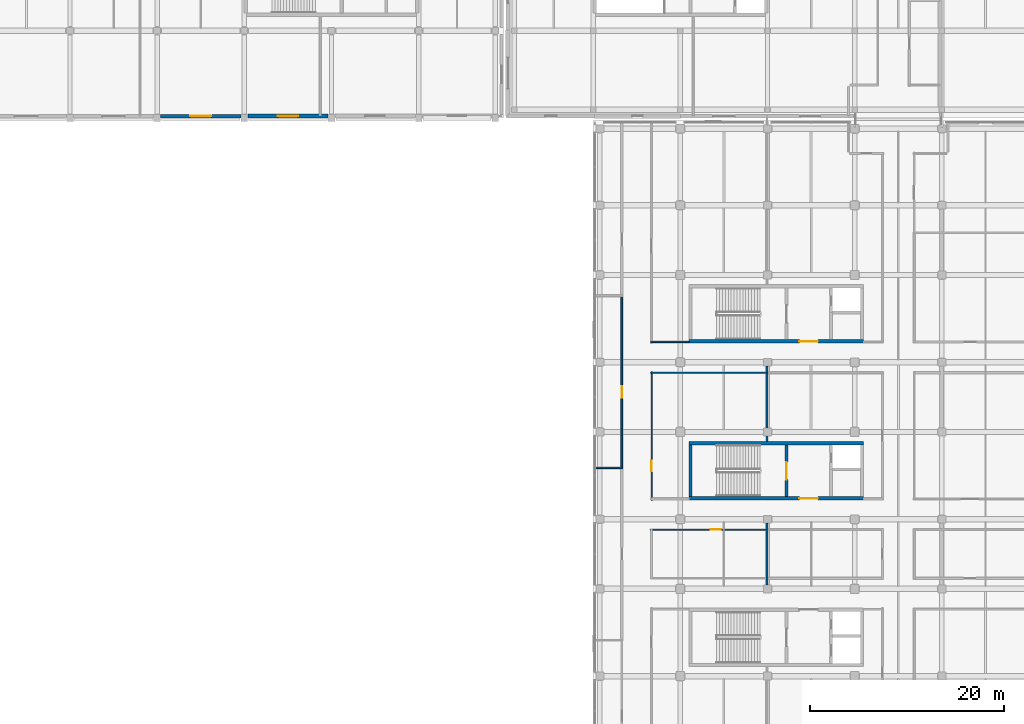
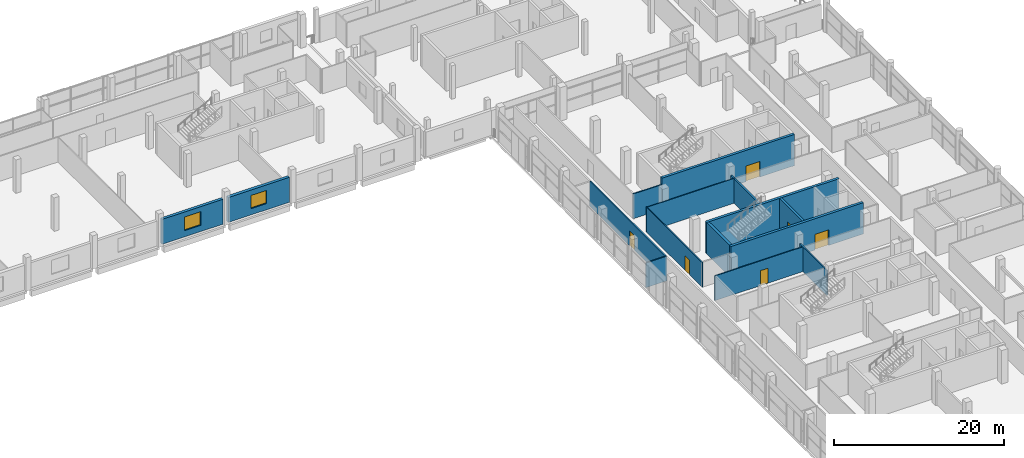
# One storey, part 78 of 111: 15 walls, 6 doors, 2 windows, 8 openings.
"""IFC4 building model written with IfcOpenShell, lengths in metres."""

from ifc_helpers import new_model, si_unit, direction, frame, frame_2d, origin, place, context, subcontext, project, spatial, rectangle, extrude, material, layer, layer_set, type_object, element, fill, save


model = new_model("IFC4")

# Units and contexts
model_context = context("Model", 3, precision=1e-05, world=origin(), true_north=direction((0.0, 1.0)))
body_context = subcontext(model_context, "Body", "Model", "MODEL_VIEW")
ifc_project = project(units=[si_unit("LENGTHUNIT", "METRE"), si_unit("AREAUNIT", "SQUARE_METRE"), si_unit("VOLUMEUNIT", "CUBIC_METRE"), si_unit("PLANEANGLEUNIT", "RADIAN"), si_unit("MASSUNIT", "GRAM", prefix="KILO"), si_unit("THERMODYNAMICTEMPERATUREUNIT", "KELVIN"), si_unit("POWERUNIT", "WATT")], contexts=[model_context])

# Site, building, storey
site_placement = place(None, origin())
site = spatial("IfcSite", under=ifc_project, at=site_placement, CompositionType="ELEMENT")
building_placement = place(site_placement, origin())
building = spatial("IfcBuilding", under=site, at=building_placement, Name="Sindhuravela Promenade Stadium", CompositionType="ELEMENT")
storey_placement = place(building_placement, frame((0.0, 0.0, 9.60009765625)))
storey = spatial("IfcBuildingStorey", under=building, at=storey_placement, Name="L02", CompositionType="ELEMENT", Elevation=9.60009765625)

# Wall, opening, window
ifc_material_1 = material(Name="Terracotta clay brick masonry (15 MPa)", Category="masonry")
ifc_layer_1 = layer(ifc_material_1, 0.3798828125)
ifc_layer_set_1 = layer_set([ifc_layer_1], Name="Terracotta clay brick masonry (15 MPa)")
wall_type_1 = type_object("IfcWallType", Name="EX-WL-BRK380", PredefinedType="SOLIDWALL", material=ifc_layer_set_1)
wall_1_placement = place(storey_placement, frame((134.64501953125, 126.199951171875, 0.0), z_axis=(0.0, 0.0, 1.0), x_axis=(-1.0, 0.0, 0.0)))
wall_1 = element("IfcWall", 1, at=wall_1_placement, inside=storey, type_object=wall_type_1, Name="Exterior masonry wall EW04 NORTH L02", PredefinedType="SOLIDWALL", context=body_context, shape_type="SweptSolid", body=[
    extrude(rectangle(XDim=8.2900390625, YDim=0.3798828125, at=frame_2d((4.14501953125, 0.0))), origin(), (0.0, 0.0, 1.0), 3.579833984375),
])
opening_1_placement = place(wall_1_placement, frame((3.044921875, 0.0, 0.89990234375)))
opening_1 = element("IfcOpeningElement", 2, at=opening_1_placement, cuts=wall_1, Name="Opening W12", PredefinedType="OPENING", context=body_context, shape_type="SweptSolid", body=[
    extrude(rectangle(XDim=2.199951171875, YDim=1.949951171875, at=frame_2d((1.10009765625, 0.97509765625))), frame((0.0, 0.199951171875, 0.0), z_axis=(0.0, -1.0, 0.0), x_axis=(1.0, 0.0, 0.0)), (0.0, 0.0, 1.0), 0.39990234375),
])
ifc_material_2 = material(Name="Tempered laminated low-E glass", Category="glass")
window_type_1 = type_object("IfcWindowType", Name="WN-FAC-2200x1950", PartitioningType="DOUBLE_PANEL_VERTICAL", PredefinedType="WINDOW", material=ifc_material_2)
window_1_placement = place(opening_1_placement, origin())
window_1 = element("IfcWindow", 3, at=window_1_placement, inside=storey, type_object=window_type_1, Name="Window W12 NORTH L02", OverallHeight=1.949951171875, OverallWidth=2.199951171875, PartitioningType="DOUBLE_PANEL_VERTICAL", PredefinedType="WINDOW", context=body_context, shape_type="SweptSolid", body=[
    extrude(rectangle(XDim=2.199951171875, YDim=1.949951171875, at=frame_2d((1.10009765625, 0.97509765625))), frame((0.0, 0.030029296875, 0.0), z_axis=(0.0, -1.0, 0.0), x_axis=(1.0, 0.0, 0.0)), (0.0, 0.0, 1.0), 0.06005859375),
])
fill(opening_1, window_1)

ifc_layer_2 = layer(ifc_material_1, 0.39990234375)
ifc_layer_set_2 = layer_set([ifc_layer_2], Name="Terracotta clay brick masonry (15 MPa)")
wall_type_2 = type_object("IfcWallType", Name="EX-WL-BRK400", PredefinedType="SOLIDWALL", material=ifc_layer_set_2)
wall_2_placement = place(storey_placement, frame((143.64501953125, 126.199951171875, 0.0), z_axis=(0.0, 0.0, 1.0), x_axis=(-1.0, 0.0, 0.0)))
wall_2 = element("IfcWall", 4, at=wall_2_placement, inside=storey, type_object=wall_type_2, Name="Exterior masonry wall EW03 NORTH L02", PredefinedType="SOLIDWALL", context=body_context, shape_type="SweptSolid", body=[
    extrude(rectangle(XDim=8.2900390625, YDim=0.39990234375, at=frame_2d((4.14501953125, 0.0))), origin(), (0.0, 0.0, 1.0), 3.579833984375),
])
opening_2_placement = place(wall_2_placement, frame((3.094970703125, 0.0, 0.89990234375)))
opening_2 = element("IfcOpeningElement", 5, at=opening_2_placement, cuts=wall_2, Name="Opening W11", PredefinedType="OPENING", context=body_context, shape_type="SweptSolid", body=[
    extrude(rectangle(XDim=2.10009765625, YDim=1.89990234375, at=frame_2d((1.050048828125, 0.949951171875))), frame((0.0, 0.2099609375, 0.0), z_axis=(0.0, -1.0, 0.0), x_axis=(1.0, 0.0, 0.0)), (0.0, 0.0, 1.0), 0.419921875),
])
window_type_2 = type_object("IfcWindowType", Name="WN-FAC-2100x1900", PartitioningType="DOUBLE_PANEL_VERTICAL", PredefinedType="WINDOW", material=ifc_material_2)
window_2_placement = place(opening_2_placement, origin())
window_2 = element("IfcWindow", 6, at=window_2_placement, inside=storey, type_object=window_type_2, Name="Window W11 NORTH L02", OverallHeight=1.89990234375, OverallWidth=2.10009765625, PartitioningType="DOUBLE_PANEL_VERTICAL", PredefinedType="WINDOW", context=body_context, shape_type="SweptSolid", body=[
    extrude(rectangle(XDim=2.10009765625, YDim=1.89990234375, at=frame_2d((1.050048828125, 0.949951171875))), frame((0.0, 0.030029296875, 0.0), z_axis=(0.0, -1.0, 0.0), x_axis=(1.0, 0.0, 0.0)), (0.0, 0.0, 1.0), 0.06005859375),
])
fill(opening_2, window_2)

# Wall
ifc_material_3 = material(Name="Fire-rated gypsum partition board", Category="gypsum")
ifc_layer_3 = layer(ifc_material_3, 0.110107421875)
ifc_layer_set_3 = layer_set([ifc_layer_3], Name="Fire-rated gypsum partition board")
wall_type_3 = type_object("IfcWallType", Name="IN-WL-PAR110", PredefinedType="PARTITIONING", material=ifc_layer_set_3)
wall_3_placement = place(storey_placement, frame((176.9599609375, 99.7099609375, 0.0), z_axis=(0.0, 0.0, 1.0), x_axis=(1.0, 0.0, 0.0)))
element("IfcWall", 7, at=wall_3_placement, inside=storey, type_object=wall_type_3, Name="Interior partition IW06 EAST L02", PredefinedType="PARTITIONING", context=body_context, shape_type="SweptSolid", body=[
    extrude(rectangle(XDim=11.949951171875, YDim=0.110107421875, at=frame_2d((5.97509765625, 0.0))), origin(), (0.0, 0.0, 1.0), 3.559814453125),
])

# Wall, opening, door
ifc_layer_4 = layer(ifc_material_3, 0.1298828125)
ifc_layer_set_4 = layer_set([ifc_layer_4], Name="Fire-rated gypsum partition board")
wall_type_4 = type_object("IfcWallType", Name="IN-WL-PAR130", PredefinedType="PARTITIONING", material=ifc_layer_set_4)
wall_4_placement = place(storey_placement, frame((177.0400390625, 99.830078125, 0.0), z_axis=(0.0, 0.0, 1.0), x_axis=(0.0, -1.0, 0.0)))
wall_4 = element("IfcWall", 8, at=wall_4_placement, inside=storey, type_object=wall_type_4, Name="Corridor partition IW05 Museum Archive Reading Room 5", PredefinedType="PARTITIONING", context=body_context, shape_type="SweptSolid", body=[
    extrude(rectangle(XDim=13.260009765625, YDim=0.1298828125, at=frame_2d((6.6298828125, 0.0))), origin(), (0.0, 0.0, 1.0), 3.559814453125),
])
opening_3_placement = place(wall_4_placement, frame((9.204833984375, 0.0, 0.0)))
opening_3 = element("IfcOpeningElement", 9, at=opening_3_placement, cuts=wall_4, Name="Opening ID06", PredefinedType="OPENING", context=body_context, shape_type="SweptSolid", body=[
    extrude(rectangle(XDim=1.10009765625, YDim=2.10009765625, at=frame_2d((0.550048828125, 1.050048828125))), frame((0.0, 0.074951171875, 0.0), z_axis=(0.0, -1.0, 0.0), x_axis=(1.0, 0.0, 0.0)), (0.0, 0.0, 1.0), 0.14990234375),
])
ifc_material_4 = material(Name="Architectural teak timber leaf", Category="wood")
door_type_1 = type_object("IfcDoorType", Name="DR-INT-1100x2100", OperationType="NOTDEFINED", PredefinedType="DOOR", material=ifc_material_4)
door_1_placement = place(opening_3_placement, origin())
door_1 = element("IfcDoor", 10, at=door_1_placement, inside=storey, type_object=door_type_1, Name="Museum Archive Reading Room 5 door", OperationType="SINGLE_SWING_RIGHT", OverallHeight=2.10009765625, OverallWidth=1.10009765625, PredefinedType="DOOR", context=body_context, shape_type="SweptSolid", body=[
    extrude(rectangle(XDim=1.10009765625, YDim=2.10009765625, at=frame_2d((0.550048828125, 1.050048828125))), frame((0.0, 0.02490234375, 0.0), z_axis=(0.0, -1.0, 0.0), x_axis=(1.0, 0.0, 0.0)), (0.0, 0.0, 1.0), 0.050048828125),
])
fill(opening_3, door_1)

wall_5_placement = place(storey_placement, frame((188.949951171875, 83.510009765625, 0.0), z_axis=(0.0, 0.0, 1.0), x_axis=(-1.0, 0.0, 0.0)))
wall_5 = element("IfcWall", 11, at=wall_5_placement, inside=storey, type_object=wall_type_4, Name="Corridor partition IW05 East Promenade Club Lounge 10", PredefinedType="PARTITIONING", context=body_context, shape_type="SweptSolid", body=[
    extrude(rectangle(XDim=12.030029296875, YDim=0.1298828125, at=frame_2d((6.01513671875, 0.0))), origin(), (0.0, 0.0, 1.0), 3.559814453125),
])
opening_4_placement = place(wall_5_placement, frame((4.797607421875, 0.0, 0.0)))
opening_4 = element("IfcOpeningElement", 12, at=opening_4_placement, cuts=wall_5, Name="Opening ID11", PredefinedType="OPENING", context=body_context, shape_type="SweptSolid", body=[
    extrude(rectangle(XDim=1.02001953125, YDim=2.159912109375, at=frame_2d((0.510009765625, 1.080078125))), frame((0.0, 0.074951171875, 0.0), z_axis=(0.0, -1.0, 0.0), x_axis=(1.0, 0.0, 0.0)), (0.0, 0.0, 1.0), 0.14990234375),
])
door_type_2 = type_object("IfcDoorType", Name="DR-INT-1020x2160", OperationType="NOTDEFINED", PredefinedType="DOOR", material=ifc_material_4)
door_2_placement = place(opening_4_placement, origin())
door_2 = element("IfcDoor", 13, at=door_2_placement, inside=storey, type_object=door_type_2, Name="East Promenade Club Lounge 10 door", OperationType="SINGLE_SWING_LEFT", OverallHeight=2.159912109375, OverallWidth=1.02001953125, PredefinedType="DOOR", context=body_context, shape_type="SweptSolid", body=[
    extrude(rectangle(XDim=1.02001953125, YDim=2.159912109375, at=frame_2d((0.510009765625, 1.080078125))), frame((0.0, 0.02490234375, 0.0), z_axis=(0.0, -1.0, 0.0), x_axis=(1.0, 0.0, 0.0)), (0.0, 0.0, 1.0), 0.050048828125),
])
fill(opening_4, door_2)

# Walls
ifc_layer_5 = layer(ifc_material_3, 0.14990234375)
ifc_layer_set_5 = layer_set([ifc_layer_5], Name="Fire-rated gypsum partition board")
wall_type_5 = type_object("IfcWallType", Name="IN-WL-PAR150", PredefinedType="PARTITIONING", material=ifc_layer_set_5)
wall_6_placement = place(storey_placement, frame((180.89794921875, 102.889892578125, 0.0), z_axis=(0.0, 0.0, 1.0), x_axis=(-1.0, 0.0, 0.0)))
element("IfcWall", 14, at=wall_6_placement, inside=storey, type_object=wall_type_5, Name="Interior partition IW04 EAST L02", PredefinedType="PARTITIONING", context=body_context, shape_type="SweptSolid", body=[
    extrude(rectangle(XDim=3.93798828125, YDim=0.14990234375, at=frame_2d((1.968994140625, 0.0))), origin(), (0.0, 0.0, 1.0), 3.559814453125),
])
wall_7_placement = place(storey_placement, frame((174.0400390625, 89.885986328125, 0.0), z_axis=(0.0, 0.0, 1.0), x_axis=(-1.0, 0.0, 0.0)))
element("IfcWall", 15, at=wall_7_placement, inside=storey, type_object=wall_type_5, Name="Interior partition IW04 EAST L02", PredefinedType="PARTITIONING", context=body_context, shape_type="SweptSolid", body=[
    extrude(rectangle(XDim=2.80712890625, YDim=0.14990234375, at=frame_2d((1.403564453125, 0.0))), origin(), (0.0, 0.0, 1.0), 3.559814453125),
])
ifc_layer_6 = layer(ifc_material_3, 0.175048828125)
ifc_layer_set_6 = layer_set([ifc_layer_6], Name="Fire-rated gypsum partition board")
wall_type_6 = type_object("IfcWallType", Name="IN-WL-PAR175", PredefinedType="PARTITIONING", material=ifc_layer_set_6)
wall_8_placement = place(storey_placement, frame((188.949951171875, 77.802001953125, 0.0), z_axis=(0.0, 0.0, 1.0), x_axis=(0.0, 1.0, 0.0)))
element("IfcWall", 16, at=wall_8_placement, inside=storey, type_object=wall_type_6, Name="Interior partition IW03 EAST L02", PredefinedType="PARTITIONING", context=body_context, shape_type="SweptSolid", body=[
    extrude(rectangle(XDim=6.39599609375, YDim=0.175048828125, at=frame_2d((3.197998046875, 0.0))), origin(), (0.0, 0.0, 1.0), 3.559814453125),
])

# Wall, opening, door
wall_9_placement = place(storey_placement, frame((173.9599609375, 89.885986328125, 0.0), z_axis=(0.0, 0.0, 1.0), x_axis=(0.0, 1.0, 0.0)))
wall_9 = element("IfcWall", 17, at=wall_9_placement, inside=storey, type_object=wall_type_6, Name="Corridor partition IW03 Accessible WC East L02 14", PredefinedType="PARTITIONING", context=body_context, shape_type="SweptSolid", body=[
    extrude(rectangle(XDim=17.77197265625, YDim=0.175048828125, at=frame_2d((8.885986328125, 0.0))), origin(), (0.0, 0.0, 1.0), 3.559814453125),
])
opening_5_placement = place(wall_9_placement, frame((7.259033203125, 0.0, 0.0)))
opening_5 = element("IfcOpeningElement", 18, at=opening_5_placement, cuts=wall_9, Name="Opening ID05", PredefinedType="OPENING", context=body_context, shape_type="SweptSolid", body=[
    extrude(rectangle(XDim=1.14990234375, YDim=2.14990234375, at=frame_2d((0.574951171875, 1.074951171875))), frame((0.0, 0.097412109375, 0.0), z_axis=(0.0, -1.0, 0.0), x_axis=(1.0, 0.0, 0.0)), (0.0, 0.0, 1.0), 0.195068359375),
])
door_type_3 = type_object("IfcDoorType", Name="DR-INT-1150x2150", OperationType="NOTDEFINED", PredefinedType="DOOR", material=ifc_material_4)
door_3_placement = place(opening_5_placement, origin())
door_3 = element("IfcDoor", 19, at=door_3_placement, inside=storey, type_object=door_type_3, Name="Accessible WC East L02 14 door", OperationType="SINGLE_SWING_LEFT", OverallHeight=2.14990234375, OverallWidth=1.14990234375, PredefinedType="DOOR", context=body_context, shape_type="SweptSolid", body=[
    extrude(rectangle(XDim=1.14990234375, YDim=2.14990234375, at=frame_2d((0.574951171875, 1.074951171875))), frame((0.0, 0.02490234375, 0.0), z_axis=(0.0, -1.0, 0.0), x_axis=(1.0, 0.0, 0.0)), (0.0, 0.0, 1.0), 0.050048828125),
])
fill(opening_5, door_3)

# Wall
ifc_layer_7 = layer(ifc_material_3, 0.219970703125)
ifc_layer_set_7 = layer_set([ifc_layer_7], Name="Fire-rated gypsum partition board")
wall_type_7 = type_object("IfcWallType", Name="IN-WL-PAR220", PredefinedType="PARTITIONING", material=ifc_layer_set_7)
wall_10_placement = place(storey_placement, frame((188.949951171875, 100.39794921875, 0.0), z_axis=(0.0, 0.0, 1.0), x_axis=(0.0, -1.0, 0.0)))
element("IfcWall", 20, at=wall_10_placement, inside=storey, type_object=wall_type_7, Name="Interior partition IW01 EAST L02", PredefinedType="PARTITIONING", context=body_context, shape_type="SweptSolid", body=[
    extrude(rectangle(XDim=7.77099609375, YDim=0.219970703125, at=frame_2d((3.885498046875, 0.0))), origin(), (0.0, 0.0, 1.0), 3.559814453125),
])

# Wall, opening, door
ifc_material_5 = material(Name="Concrete M50", Category="concrete")
ifc_layer_8 = layer(ifc_material_5, 0.300048828125)
ifc_layer_set_8 = layer_set([ifc_layer_8], Name="Concrete M50")
wall_type_8 = type_object("IfcWallType", Name="RC-SW-300", PredefinedType="SHEAR", material=ifc_layer_set_8)
wall_11_placement = place(storey_placement, frame((190.949951171875, 86.925048828125, 0.0), z_axis=(0.0, 0.0, 1.0), x_axis=(0.0, 1.0, 0.0)))
wall_11 = element("IfcWall", 21, at=wall_11_placement, inside=storey, type_object=wall_type_8, Name="Core shear wall C07-ST (L02)", PredefinedType="SHEAR", context=body_context, shape_type="SweptSolid", body=[
    extrude(rectangle(XDim=5.349853515625, YDim=0.300048828125, at=frame_2d((2.6748046875, 0.0))), origin(), (0.0, 0.0, 1.0), 4.5),
])
opening_6_placement = place(wall_11_placement, frame((1.75, 0.0, 0.0)))
opening_6 = element("IfcOpeningElement", 22, at=opening_6_placement, cuts=wall_11, Name="Opening FD01", PredefinedType="OPENING", context=body_context, shape_type="SweptSolid", body=[
    extrude(rectangle(XDim=1.800048828125, YDim=2.25, at=frame_2d((0.89990234375, 1.125))), frame((0.0, 0.159912109375, 0.0), z_axis=(0.0, -1.0, 0.0), x_axis=(1.0, 0.0, 0.0)), (0.0, 0.0, 1.0), 0.320068359375),
])
ifc_material_6 = material(Name="Architectural wrought steel E350", Category="steel")
door_type_4 = type_object("IfcDoorType", Name="DR-CORE-1800x2250", OperationType="DOUBLE_DOOR_SINGLE_SWING", PredefinedType="DOOR", material=ifc_material_6)
door_4_placement = place(opening_6_placement, origin())
door_4 = element("IfcDoor", 23, at=door_4_placement, inside=storey, type_object=door_type_4, Name="Stair ST07 lobby fire door (L02)", OperationType="DOUBLE_DOOR_SINGLE_SWING", OverallHeight=2.25, OverallWidth=1.800048828125, PredefinedType="DOOR", context=body_context, shape_type="SweptSolid", body=[
    extrude(rectangle(XDim=1.800048828125, YDim=2.25, at=frame_2d((0.89990234375, 1.125))), frame((0.0, 0.02490234375, 0.0), z_axis=(0.0, -1.0, 0.0), x_axis=(1.0, 0.0, 0.0)), (0.0, 0.0, 1.0), 0.050048828125),
])
fill(opening_6, door_4)

ifc_layer_9 = layer(ifc_material_5, 0.35009765625)
ifc_layer_set_9 = layer_set([ifc_layer_9], Name="Concrete M50")
wall_type_9 = type_object("IfcWallType", Name="RC-SW-350", PredefinedType="SHEAR", material=ifc_layer_set_9)
wall_12_placement = place(storey_placement, frame((180.89990234375, 86.75, 0.0), z_axis=(0.0, 0.0, 1.0), x_axis=(1.0, 0.0, 0.0)))
wall_12 = element("IfcWall", 24, at=wall_12_placement, inside=storey, type_object=wall_type_9, Name="Core shear wall C07-S (L02)", PredefinedType="SHEAR", context=body_context, shape_type="SweptSolid", body=[
    extrude(rectangle(XDim=18.0, YDim=0.35009765625, at=frame_2d((9.0, 0.0))), origin(), (0.0, 0.0, 1.0), 4.5),
])
opening_7_placement = place(wall_12_placement, frame((11.39990234375, 0.0, 0.0)))
opening_7 = element("IfcOpeningElement", 25, at=opening_7_placement, cuts=wall_12, Name="Opening FD02", PredefinedType="OPENING", context=body_context, shape_type="SweptSolid", body=[
    extrude(rectangle(XDim=1.89990234375, YDim=2.25, at=frame_2d((0.949951171875, 1.125))), frame((0.0, 0.18505859375, 0.0), z_axis=(0.0, -1.0, 0.0), x_axis=(1.0, 0.0, 0.0)), (0.0, 0.0, 1.0), 0.3701171875),
])
door_type_5 = type_object("IfcDoorType", Name="DR-LOB-1900x2250", OperationType="DOUBLE_DOOR_SINGLE_SWING", PredefinedType="DOOR", material=ifc_material_6)
door_5_placement = place(opening_7_placement, origin())
door_5 = element("IfcDoor", 26, at=door_5_placement, inside=storey, type_object=door_type_5, Name="Protected lobby entrance door C07 (L02)", OperationType="DOUBLE_DOOR_SINGLE_SWING", OverallHeight=2.25, OverallWidth=1.89990234375, PredefinedType="DOOR", context=body_context, shape_type="SweptSolid", body=[
    extrude(rectangle(XDim=1.89990234375, YDim=2.25, at=frame_2d((0.949951171875, 1.125))), frame((0.0, 0.02490234375, 0.0), z_axis=(0.0, -1.0, 0.0), x_axis=(1.0, 0.0, 0.0)), (0.0, 0.0, 1.0), 0.050048828125),
])
fill(opening_7, door_5)

# Walls
wall_13_placement = place(storey_placement, frame((198.89990234375, 92.449951171875, 0.0), z_axis=(0.0, 0.0, 1.0), x_axis=(-1.0, 0.0, 0.0)))
element("IfcWall", 27, at=wall_13_placement, inside=storey, type_object=wall_type_9, Name="Core shear wall C07-N (L02)", PredefinedType="SHEAR", context=body_context, shape_type="SweptSolid", body=[
    extrude(rectangle(XDim=18.0, YDim=0.35009765625, at=frame_2d((9.0, 0.0))), origin(), (0.0, 0.0, 1.0), 4.5),
])
wall_14_placement = place(storey_placement, frame((181.050048828125, 92.27490234375, 0.0), z_axis=(0.0, 0.0, 1.0), x_axis=(0.0, -1.0, 0.0)))
element("IfcWall", 28, at=wall_14_placement, inside=storey, type_object=wall_type_9, Name="Core shear wall C07-W (L02)", PredefinedType="SHEAR", context=body_context, shape_type="SweptSolid", body=[
    extrude(rectangle(XDim=5.349853515625, YDim=0.35009765625, at=frame_2d((2.6748046875, 0.0))), origin(), (0.0, 0.0, 1.0), 4.5),
])

# Wall, opening, door
wall_15_placement = place(storey_placement, frame((180.89990234375, 102.949951171875, 0.0), z_axis=(0.0, 0.0, 1.0), x_axis=(1.0, 0.0, 0.0)))
wall_15 = element("IfcWall", 29, at=wall_15_placement, inside=storey, type_object=wall_type_9, Name="Core shear wall C08-S (L02)", PredefinedType="SHEAR", context=body_context, shape_type="SweptSolid", body=[
    extrude(rectangle(XDim=18.0, YDim=0.35009765625, at=frame_2d((9.0, 0.0))), origin(), (0.0, 0.0, 1.0), 4.5),
])
opening_8_placement = place(wall_15_placement, frame((11.39990234375, 0.0, 0.0)))
opening_8 = element("IfcOpeningElement", 30, at=opening_8_placement, cuts=wall_15, Name="Opening FD02", PredefinedType="OPENING", context=body_context, shape_type="SweptSolid", body=[
    extrude(rectangle(XDim=1.89990234375, YDim=2.25, at=frame_2d((0.949951171875, 1.125))), frame((0.0, 0.18505859375, 0.0), z_axis=(0.0, -1.0, 0.0), x_axis=(1.0, 0.0, 0.0)), (0.0, 0.0, 1.0), 0.3701171875),
])
door_6_placement = place(opening_8_placement, origin())
door_6 = element("IfcDoor", 31, at=door_6_placement, inside=storey, type_object=door_type_5, Name="Protected lobby entrance door C08 (L02)", OperationType="DOUBLE_DOOR_SINGLE_SWING", OverallHeight=2.25, OverallWidth=1.89990234375, PredefinedType="DOOR", context=body_context, shape_type="SweptSolid", body=[
    extrude(rectangle(XDim=1.89990234375, YDim=2.25, at=frame_2d((0.949951171875, 1.125))), frame((0.0, 0.02490234375, 0.0), z_axis=(0.0, -1.0, 0.0), x_axis=(1.0, 0.0, 0.0)), (0.0, 0.0, 1.0), 0.050048828125),
])
fill(opening_8, door_6)

save(model, "model.ifc")
